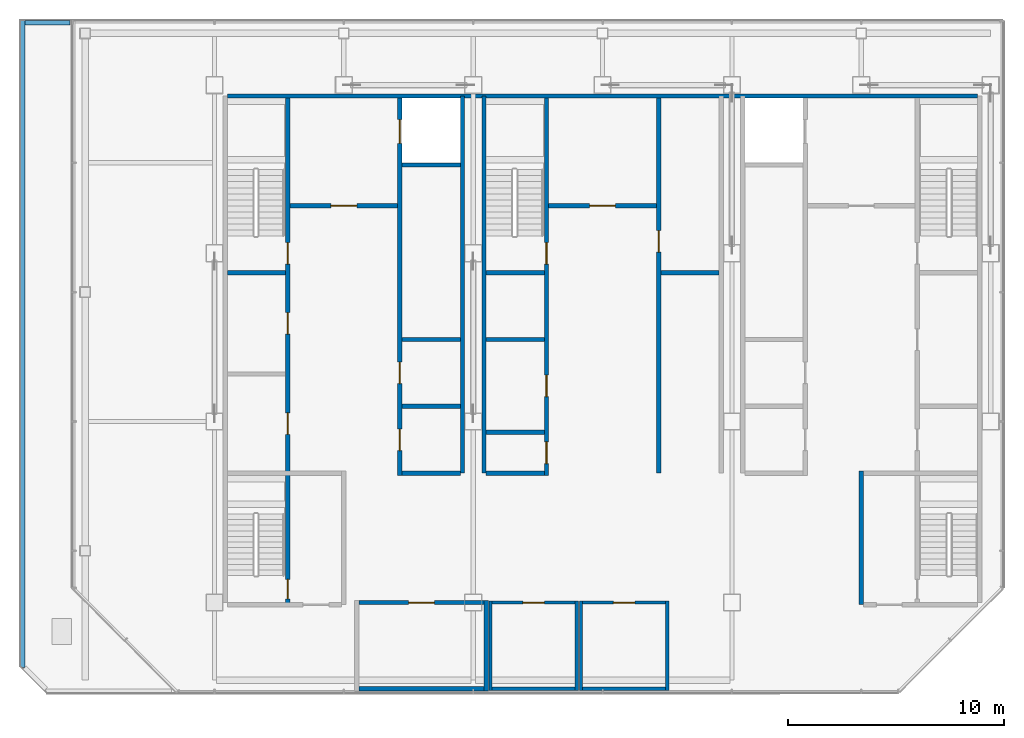
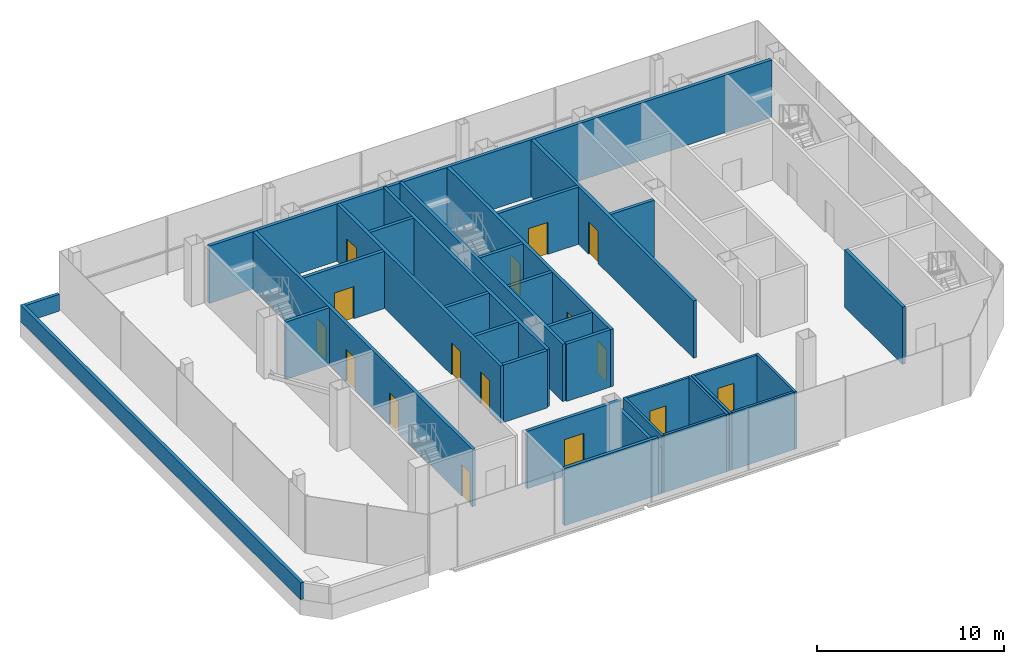
# One storey, part 8 of 11: 33 walls, 16 doors, 16 openings.
"""IFC4 building model written with IfcOpenShell, lengths in metres."""

from ifc_helpers import new_model, si_unit, direction, frame, frame_2d, origin, place, context, subcontext, project, spatial, rectangle, extrude, material, layer, layer_set, type_object, element, fill, save


model = new_model("IFC4")

# Units and contexts
model_context = context("Model", 3, precision=1e-05, world=origin(), true_north=direction((0.0, 1.0)))
body_context = subcontext(model_context, "Body", "Model", "MODEL_VIEW")
ifc_project = project(units=[si_unit("LENGTHUNIT", "METRE"), si_unit("AREAUNIT", "SQUARE_METRE"), si_unit("VOLUMEUNIT", "CUBIC_METRE"), si_unit("PLANEANGLEUNIT", "RADIAN"), si_unit("MASSUNIT", "GRAM", prefix="KILO")], contexts=[model_context])

# Site, building, storey
site_placement = place(None, origin())
site = spatial("IfcSite", under=ifc_project, at=site_placement, CompositionType="ELEMENT")
building_placement = place(site_placement, origin())
building = spatial("IfcBuilding", under=site, at=building_placement, Name="Sorahane Residences", CompositionType="ELEMENT")
storey_placement = place(building_placement, frame((0.0, 0.0, 349.800048828125)))
storey = spatial("IfcBuildingStorey", under=building, at=storey_placement, Name="L83", CompositionType="ELEMENT", Elevation=349.800048828125)

# Walls
ifc_material_1 = material(Name="Concrete C30", Category="concrete")
ifc_layer_1 = layer(ifc_material_1, 0.199951171875)
ifc_layer_set_1 = layer_set([ifc_layer_1], Name="Core face wall 200 EI 180")
wall_type_1 = type_object("IfcWallType", Name="Core face wall 200 EI 180", PredefinedType="SOLIDWALL", material=ifc_layer_set_1)
wall_1_placement = place(storey_placement, frame((6.60009765625, 45.10009765625, 0.0), z_axis=(0.0, 0.0, 1.0), x_axis=(1.0, 0.0, 0.0)))
element("IfcWall", 1, at=wall_1_placement, inside=storey, type_object=wall_type_1, Name="L83 core face wall", PredefinedType="SOLIDWALL", context=body_context, shape_type="SweptSolid", body=[
    extrude(rectangle(XDim=34.7998046875, YDim=0.199951171875, at=frame_2d((17.39990234375, 0.0))), origin(), (0.0, 0.0, 1.0), 3.75),
])
for number, where, z_axis, x_axis, name in (
    (2, (17.5, 27.60009765625, 0.0), (0.0, 0.0, 1.0), (0.0, 1.0, 0.0), "L83 core face wall"),
    (3, (18.5, 27.60009765625, 0.0), (0.0, 0.0, 1.0), (0.0, 1.0, 0.0), "L83 core face wall"),
):
    element("IfcWall", number, at=place(storey_placement, frame(where, z_axis=z_axis, x_axis=x_axis)), inside=storey, type_object=wall_type_1, Name=name, PredefinedType="SOLIDWALL", context=body_context, shape_type="SweptSolid", body=[
        extrude(rectangle(XDim=17.5, YDim=0.199951171875, at=frame_2d((8.75, 0.0))), origin(), (0.0, 0.0, 1.0), 3.75),
    ])

# Wall, opening, door
ifc_material_2 = material(Name="Concrete C30", Category="concrete")
ifc_layer_2 = layer(ifc_material_2, 0.199951171875)
ifc_layer_set_2 = layer_set([ifc_layer_2], Name="Front room wall 200 EI 120")
wall_type_2 = type_object("IfcWallType", Name="Front room wall 200 EI 120", PredefinedType="PARTITIONING", material=ifc_layer_set_2)
wall_2_placement = place(storey_placement, frame((26.60009765625, 27.60009765625, 0.0), z_axis=(0.0, 0.0, 1.0), x_axis=(0.0, 1.0, 0.0)))
wall_2 = element("IfcWall", 4, at=wall_2_placement, inside=storey, type_object=wall_type_2, Name="L83 front room wall", PredefinedType="PARTITIONING", context=body_context, shape_type="SweptSolid", body=[
    extrude(rectangle(XDim=17.39990234375, YDim=0.199951171875, at=frame_2d((8.699951171875, 0.0))), origin(), (0.0, 0.0, 1.0), 3.75),
])
opening_1_placement = place(wall_2_placement, frame((10.25, 0.0, 0.0)))
opening_1 = element("IfcOpeningElement", 5, at=opening_1_placement, cuts=wall_2, Name="Opening L83-C23", PredefinedType="OPENING", context=body_context, shape_type="SweptSolid", body=[
    extrude(rectangle(XDim=1.0, YDim=2.10009765625, at=frame_2d((0.5, 1.050048828125))), frame((0.0, 0.10986328125, 0.0), z_axis=(0.0, -1.0, 0.0), x_axis=(1.0, 0.0, 0.0)), (0.0, 0.0, 1.0), 0.219970703125),
])
ifc_material_3 = material(Name="Steel", Category="steel")
door_type_1 = type_object("IfcDoorType", Name="Service room door 1000x2100 FD60", OperationType="NOTDEFINED", PredefinedType="DOOR", material=ifc_material_3)
door_1_placement = place(opening_1_placement, frame((1.0, 0.0, 0.0), z_axis=(0.0, 0.0, 1.0), x_axis=(-1.0, 0.0, 0.0)))
door_1 = element("IfcDoor", 6, at=door_1_placement, inside=storey, type_object=door_type_1, Name="Service room door Housekeeping store L83", OperationType="SINGLE_SWING_LEFT", OverallHeight=2.10009765625, OverallWidth=1.0, PredefinedType="DOOR", context=body_context, shape_type="SweptSolid", body=[
    extrude(rectangle(XDim=1.0, YDim=2.10009765625, at=frame_2d((0.5, 1.050048828125))), frame((0.0, 0.02490234375, 0.0), z_axis=(0.0, -1.0, 0.0), x_axis=(1.0, 0.0, 0.0)), (0.0, 0.0, 1.0), 0.050048828125),
])
fill(opening_1, door_1)

# Wall
wall_3_placement = place(storey_placement, frame((36.0, 21.5, 0.0), z_axis=(0.0, 0.0, 1.0), x_axis=(0.0, 1.0, 0.0)))
element("IfcWall", 7, at=wall_3_placement, inside=storey, type_object=wall_type_2, Name="L83 front room wall", PredefinedType="PARTITIONING", context=body_context, shape_type="SweptSolid", body=[
    extrude(rectangle(XDim=6.199951171875, YDim=0.199951171875, at=frame_2d((3.10009765625, 0.0))), origin(), (0.0, 0.0, 1.0), 3.75),
])

# Wall, opening, door
wall_4_placement = place(storey_placement, frame((21.5, 40.0, 0.0), z_axis=(0.0, 0.0, 1.0), x_axis=(1.0, 0.0, 0.0)))
wall_4 = element("IfcWall", 8, at=wall_4_placement, inside=storey, type_object=wall_type_2, Name="L83 front room wall", PredefinedType="PARTITIONING", context=body_context, shape_type="SweptSolid", body=[
    extrude(rectangle(XDim=5.0, YDim=0.199951171875, at=frame_2d((2.5, 0.0))), origin(), (0.0, 0.0, 1.0), 3.75),
])
opening_2_placement = place(wall_4_placement, frame((1.89990234375, 0.0, 0.0)))
opening_2 = element("IfcOpeningElement", 9, at=opening_2_placement, cuts=wall_4, Name="Opening L83-C04", PredefinedType="OPENING", context=body_context, shape_type="SweptSolid", body=[
    extrude(rectangle(XDim=1.199951171875, YDim=2.10009765625, at=frame_2d((0.60009765625, 1.050048828125))), frame((0.0, 0.10986328125, 0.0), z_axis=(0.0, -1.0, 0.0), x_axis=(1.0, 0.0, 0.0)), (0.0, 0.0, 1.0), 0.219970703125),
])
ifc_material_4 = material(Name="Steel", Category="steel")
door_type_2 = type_object("IfcDoorType", Name="Front room door 1200x2100 FD120", OperationType="NOTDEFINED", PredefinedType="DOOR", material=ifc_material_4)
door_2_placement = place(opening_2_placement, frame((1.199951171875, 0.0, 0.0), z_axis=(0.0, 0.0, 1.0), x_axis=(-1.0, 0.0, 0.0)))
door_2 = element("IfcDoor", 10, at=door_2_placement, inside=storey, type_object=door_type_2, Name="Front room door Stair S3 vestibule L83", OperationType="DOUBLE_DOOR_SINGLE_SWING", OverallHeight=2.10009765625, OverallWidth=1.199951171875, PredefinedType="DOOR", context=body_context, shape_type="SweptSolid", body=[
    extrude(rectangle(XDim=1.199951171875, YDim=2.10009765625, at=frame_2d((0.60009765625, 1.050048828125))), frame((0.0, 0.02490234375, 0.0), z_axis=(0.0, -1.0, 0.0), x_axis=(1.0, 0.0, 0.0)), (0.0, 0.0, 1.0), 0.050048828125),
])
fill(opening_2, door_2)

wall_5_placement = place(storey_placement, frame((9.5, 40.0, 0.0), z_axis=(0.0, 0.0, 1.0), x_axis=(1.0, 0.0, 0.0)))
wall_5 = element("IfcWall", 11, at=wall_5_placement, inside=storey, type_object=wall_type_2, Name="L83 front room wall", PredefinedType="PARTITIONING", context=body_context, shape_type="SweptSolid", body=[
    extrude(rectangle(XDim=5.0, YDim=0.199951171875, at=frame_2d((2.5, 0.0))), origin(), (0.0, 0.0, 1.0), 3.75),
])
opening_3_placement = place(wall_5_placement, frame((1.89990234375, 0.0, 0.0)))
opening_3 = element("IfcOpeningElement", 12, at=opening_3_placement, cuts=wall_5, Name="Opening L83-C03", PredefinedType="OPENING", context=body_context, shape_type="SweptSolid", body=[
    extrude(rectangle(XDim=1.199951171875, YDim=2.10009765625, at=frame_2d((0.60009765625, 1.050048828125))), frame((0.0, 0.10986328125, 0.0), z_axis=(0.0, -1.0, 0.0), x_axis=(1.0, 0.0, 0.0)), (0.0, 0.0, 1.0), 0.219970703125),
])
door_3_placement = place(opening_3_placement, frame((1.199951171875, 0.0, 0.0), z_axis=(0.0, 0.0, 1.0), x_axis=(-1.0, 0.0, 0.0)))
door_3 = element("IfcDoor", 13, at=door_3_placement, inside=storey, type_object=door_type_2, Name="Front room door Firefighting lobby FF1 front room L83", OperationType="DOUBLE_DOOR_SINGLE_SWING", OverallHeight=2.10009765625, OverallWidth=1.199951171875, PredefinedType="DOOR", context=body_context, shape_type="SweptSolid", body=[
    extrude(rectangle(XDim=1.199951171875, YDim=2.10009765625, at=frame_2d((0.60009765625, 1.050048828125))), frame((0.0, 0.02490234375, 0.0), z_axis=(0.0, -1.0, 0.0), x_axis=(1.0, 0.0, 0.0)), (0.0, 0.0, 1.0), 0.050048828125),
])
fill(opening_3, door_3)

# Wall, openings, doors
ifc_material_5 = material(Name="Concrete C30", Category="concrete")
ifc_layer_3 = layer(ifc_material_5, 0.199951171875)
ifc_layer_set_3 = layer_set([ifc_layer_3], Name="Lift shaft wall 200 EI 120")
wall_type_3 = type_object("IfcWallType", Name="Lift shaft wall 200 EI 120", PredefinedType="SOLIDWALL", material=ifc_layer_set_3)
wall_6_placement = place(storey_placement, frame((14.60009765625, 27.5, 0.0), z_axis=(0.0, 0.0, 1.0), x_axis=(0.0, 1.0, 0.0)))
wall_6 = element("IfcWall", 14, at=wall_6_placement, inside=storey, type_object=wall_type_3, Name="L83 lift shaft wall", PredefinedType="SOLIDWALL", context=body_context, shape_type="SweptSolid", body=[
    extrude(rectangle(XDim=17.5, YDim=0.199951171875, at=frame_2d((8.75, 0.0))), origin(), (0.0, 0.0, 1.0), 3.75),
])
opening_4_placement = place(wall_6_placement, frame((15.39990234375, 0.0, 0.0)))
opening_4 = element("IfcOpeningElement", 15, at=opening_4_placement, cuts=wall_6, Name="Opening L83-C07", PredefinedType="OPENING", context=body_context, shape_type="SweptSolid", body=[
    extrude(rectangle(XDim=1.10009765625, YDim=2.10009765625, at=frame_2d((0.550048828125, 1.050048828125))), frame((0.0, 0.10986328125, 0.0), z_axis=(0.0, -1.0, 0.0), x_axis=(1.0, 0.0, 0.0)), (0.0, 0.0, 1.0), 0.219970703125),
])
opening_5_placement = place(wall_6_placement, frame((1.14990234375, 0.0, 0.0)))
opening_5 = element("IfcOpeningElement", 16, at=opening_5_placement, cuts=wall_6, Name="Opening L83-C14", PredefinedType="OPENING", context=body_context, shape_type="SweptSolid", body=[
    extrude(rectangle(XDim=1.0, YDim=2.10009765625, at=frame_2d((0.5, 1.050048828125))), frame((0.0, 0.10986328125, 0.0), z_axis=(0.0, -1.0, 0.0), x_axis=(1.0, 0.0, 0.0)), (0.0, 0.0, 1.0), 0.219970703125),
])
opening_6_placement = place(wall_6_placement, frame((4.25, 0.0, 0.0)))
opening_6 = element("IfcOpeningElement", 17, at=opening_6_placement, cuts=wall_6, Name="Opening L83-C15", PredefinedType="OPENING", context=body_context, shape_type="SweptSolid", body=[
    extrude(rectangle(XDim=1.0, YDim=2.10009765625, at=frame_2d((0.5, 1.050048828125))), frame((0.0, 0.10986328125, 0.0), z_axis=(0.0, -1.0, 0.0), x_axis=(1.0, 0.0, 0.0)), (0.0, 0.0, 1.0), 0.219970703125),
])
ifc_material_6 = material(Name="Aluminium and stainless steel", Category="steel")
door_type_3 = type_object("IfcDoorType", Name="Lift landing door 1100x2100 E 60", OperationType="NOTDEFINED", PredefinedType="DOOR", material=ifc_material_6)
door_4_placement = place(opening_4_placement, origin())
door_4 = element("IfcDoor", 18, at=door_4_placement, inside=storey, type_object=door_type_3, Name="Lift landing door FF1 L83", OperationType="DOUBLE_DOOR_SLIDING", OverallHeight=2.10009765625, OverallWidth=1.10009765625, PredefinedType="DOOR", context=body_context, shape_type="SweptSolid", body=[
    extrude(rectangle(XDim=1.10009765625, YDim=2.10009765625, at=frame_2d((0.550048828125, 1.050048828125))), frame((0.0, 0.02490234375, 0.0), z_axis=(0.0, -1.0, 0.0), x_axis=(1.0, 0.0, 0.0)), (0.0, 0.0, 1.0), 0.050048828125),
])
fill(opening_4, door_4)
door_5_placement = place(opening_5_placement, frame((1.0, 0.0, 0.0), z_axis=(0.0, 0.0, 1.0), x_axis=(-1.0, 0.0, 0.0)))
door_5 = element("IfcDoor", 19, at=door_5_placement, inside=storey, type_object=door_type_1, Name="Service room door Linen store L83", OperationType="SINGLE_SWING_LEFT", OverallHeight=2.10009765625, OverallWidth=1.0, PredefinedType="DOOR", context=body_context, shape_type="SweptSolid", body=[
    extrude(rectangle(XDim=1.0, YDim=2.10009765625, at=frame_2d((0.5, 1.050048828125))), frame((0.0, 0.02490234375, 0.0), z_axis=(0.0, -1.0, 0.0), x_axis=(1.0, 0.0, 0.0)), (0.0, 0.0, 1.0), 0.050048828125),
])
fill(opening_5, door_5)
door_6_placement = place(opening_6_placement, frame((1.0, 0.0, 0.0), z_axis=(0.0, 0.0, 1.0), x_axis=(-1.0, 0.0, 0.0)))
door_6 = element("IfcDoor", 20, at=door_6_placement, inside=storey, type_object=door_type_1, Name="Service room door Linen store L83", OperationType="SINGLE_SWING_LEFT", OverallHeight=2.10009765625, OverallWidth=1.0, PredefinedType="DOOR", context=body_context, shape_type="SweptSolid", body=[
    extrude(rectangle(XDim=1.0, YDim=2.10009765625, at=frame_2d((0.5, 1.050048828125))), frame((0.0, 0.02490234375, 0.0), z_axis=(0.0, -1.0, 0.0), x_axis=(1.0, 0.0, 0.0)), (0.0, 0.0, 1.0), 0.050048828125),
])
fill(opening_6, door_6)

# Walls
wall_7_placement = place(storey_placement, frame((14.699951171875, 41.89990234375, 0.0), z_axis=(0.0, 0.0, 1.0), x_axis=(1.0, 0.0, 0.0)))
element("IfcWall", 21, at=wall_7_placement, inside=storey, type_object=wall_type_3, Name="L83 lift shaft wall", PredefinedType="SOLIDWALL", context=body_context, shape_type="SweptSolid", body=[
    extrude(rectangle(XDim=2.699951171875, YDim=0.199951171875, at=frame_2d((1.35009765625, 0.0))), origin(), (0.0, 0.0, 1.0), 3.75),
])
ifc_material_7 = material(Name="Concrete C35", Category="concrete")
ifc_layer_4 = layer(ifc_material_7, 0.199951171875)
ifc_layer_set_4 = layer_set([ifc_layer_4], Name="Parapet wall Concrete C35 200")
wall_type_4 = type_object("IfcWallType", Name="Parapet wall Concrete C35 200", PredefinedType="PARAPET", material=ifc_layer_set_4)
wall_8_placement = place(storey_placement, frame((-2.89990234375, 18.593017578125, 0.0), z_axis=(0.0, 0.0, 1.0), x_axis=(0.0, 1.0, 0.0)))
element("IfcWall", 22, at=wall_8_placement, inside=storey, type_object=wall_type_4, Name="Roof parapet L83.1.1.3", PredefinedType="PARAPET", context=body_context, shape_type="SweptSolid", body=[
    extrude(rectangle(XDim=30.007080078125, YDim=0.199951171875, at=frame_2d((15.00341796875, 0.0))), origin(), (0.0, 0.0, 1.0), 1.099853515625),
])
wall_9_placement = place(storey_placement, frame((-2.800048828125, 48.5, 0.0), z_axis=(0.0, 0.0, 1.0), x_axis=(1.0, 0.0, 0.0)))
element("IfcWall", 23, at=wall_9_placement, inside=storey, type_object=wall_type_4, Name="Roof parapet L83.1.1.4", PredefinedType="PARAPET", context=body_context, shape_type="SweptSolid", body=[
    extrude(rectangle(XDim=2.10009765625, YDim=0.199951171875, at=frame_2d((1.050048828125, 0.0))), origin(), (0.0, 0.0, 1.0), 1.099853515625),
])
ifc_material_8 = material(Name="Gypsum board partition on steel studs", Category="steel")
ifc_layer_5 = layer(ifc_material_8, 0.14990234375)
ifc_layer_set_5 = layer_set([ifc_layer_5], Name="Partition 150 EI 90")
wall_type_5 = type_object("IfcWallType", Name="Partition 150 EI 90", PredefinedType="PARTITIONING", material=ifc_layer_set_5)
for number, where, z_axis, x_axis, name in (
    (24, (18.800048828125, 17.52490234375, 0.0), (0.0, 0.0, 1.0), (0.0, 1.0, 0.0), "L83 partition"),
    (25, (22.800048828125, 17.52490234375, 0.0), (0.0, 0.0, 1.0), (0.0, 1.0, 0.0), "L83 partition"),
):
    element("IfcWall", number, at=place(storey_placement, frame(where, z_axis=z_axis, x_axis=x_axis)), inside=storey, type_object=wall_type_5, Name=name, PredefinedType="PARTITIONING", context=body_context, shape_type="SweptSolid", body=[
        extrude(rectangle(XDim=4.150146484375, YDim=0.14990234375, at=frame_2d((2.0751953125, 0.0))), origin(), (0.0, 0.0, 1.0), 3.75),
    ])
wall_10_placement = place(storey_placement, frame((18.875, 17.60009765625, 0.0), z_axis=(0.0, 0.0, 1.0), x_axis=(1.0, 0.0, 0.0)))
element("IfcWall", 26, at=wall_10_placement, inside=storey, type_object=wall_type_5, Name="L83 partition", PredefinedType="PARTITIONING", context=body_context, shape_type="SweptSolid", body=[
    extrude(rectangle(XDim=3.85009765625, YDim=0.14990234375, at=frame_2d((1.925048828125, 0.0))), origin(), (0.0, 0.0, 1.0), 3.75),
])

# Wall, opening, door
wall_11_placement = place(storey_placement, frame((18.875, 21.60009765625, 0.0), z_axis=(0.0, 0.0, 1.0), x_axis=(1.0, 0.0, 0.0)))
wall_11 = element("IfcWall", 27, at=wall_11_placement, inside=storey, type_object=wall_type_5, Name="L83 partition", PredefinedType="PARTITIONING", context=body_context, shape_type="SweptSolid", body=[
    extrude(rectangle(XDim=3.85009765625, YDim=0.14990234375, at=frame_2d((1.925048828125, 0.0))), origin(), (0.0, 0.0, 1.0), 3.75),
])
opening_7_placement = place(wall_11_placement, frame((1.425048828125, 0.0, 0.0)))
opening_7 = element("IfcOpeningElement", 28, at=opening_7_placement, cuts=wall_11, Name="Opening L83-02", PredefinedType="OPENING", context=body_context, shape_type="SweptSolid", body=[
    extrude(rectangle(XDim=1.0, YDim=2.39990234375, at=frame_2d((0.5, 1.199951171875))), frame((0.0, 0.0849609375, 0.0), z_axis=(0.0, -1.0, 0.0), x_axis=(1.0, 0.0, 0.0)), (0.0, 0.0, 1.0), 0.169921875),
])
ifc_material_9 = material(Name="Timber veneered fire door", Category="wood")
door_type_4 = type_object("IfcDoorType", Name="Room door 1000x2400 FD30", OperationType="NOTDEFINED", PredefinedType="DOOR", material=ifc_material_9)
door_7_placement = place(opening_7_placement, origin())
door_7 = element("IfcDoor", 29, at=door_7_placement, inside=storey, type_object=door_type_4, Name="Room door L83-02", OperationType="SINGLE_SWING_RIGHT", OverallHeight=2.39990234375, OverallWidth=1.0, PredefinedType="DOOR", context=body_context, shape_type="SweptSolid", body=[
    extrude(rectangle(XDim=1.0, YDim=2.39990234375, at=frame_2d((0.5, 1.199951171875))), frame((0.0, 0.02490234375, 0.0), z_axis=(0.0, -1.0, 0.0), x_axis=(1.0, 0.0, 0.0)), (0.0, 0.0, 1.0), 0.050048828125),
])
fill(opening_7, door_7)

# Walls
ifc_material_10 = material(Name="Concrete blockwork C20 wall", Category="masonry")
ifc_layer_6 = layer(ifc_material_10, 0.199951171875)
ifc_layer_set_6 = layer_set([ifc_layer_6], Name="Plant wall 200 EI 120")
wall_type_6 = type_object("IfcWallType", Name="Plant wall 200 EI 120", PredefinedType="SOLIDWALL", material=ifc_layer_set_6)
wall_12_placement = place(storey_placement, frame((18.60009765625, 17.5, 0.0), z_axis=(0.0, 0.0, 1.0), x_axis=(0.0, 1.0, 0.0)))
element("IfcWall", 30, at=wall_12_placement, inside=storey, type_object=wall_type_6, Name="L83 plant wall", PredefinedType="SOLIDWALL", context=body_context, shape_type="SweptSolid", body=[
    extrude(rectangle(XDim=4.199951171875, YDim=0.199951171875, at=frame_2d((2.10009765625, 0.0))), origin(), (0.0, 0.0, 1.0), 3.050048828125),
])
wall_13_placement = place(storey_placement, frame((12.699951171875, 17.60009765625, 0.0), z_axis=(0.0, 0.0, 1.0), x_axis=(1.0, 0.0, 0.0)))
element("IfcWall", 31, at=wall_13_placement, inside=storey, type_object=wall_type_6, Name="L83 plant wall", PredefinedType="SOLIDWALL", context=body_context, shape_type="SweptSolid", body=[
    extrude(rectangle(XDim=5.800048828125, YDim=0.199951171875, at=frame_2d((2.89990234375, 0.0))), origin(), (0.0, 0.0, 1.0), 3.75),
])

# Wall, opening, door
wall_14_placement = place(storey_placement, frame((12.699951171875, 21.60009765625, 0.0), z_axis=(0.0, 0.0, 1.0), x_axis=(1.0, 0.0, 0.0)))
wall_14 = element("IfcWall", 32, at=wall_14_placement, inside=storey, type_object=wall_type_6, Name="L83 plant wall", PredefinedType="SOLIDWALL", context=body_context, shape_type="SweptSolid", body=[
    extrude(rectangle(XDim=5.800048828125, YDim=0.199951171875, at=frame_2d((2.89990234375, 0.0))), origin(), (0.0, 0.0, 1.0), 3.75),
])
opening_8_placement = place(wall_14_placement, frame((2.300048828125, 0.0, 0.0)))
opening_8 = element("IfcOpeningElement", 33, at=opening_8_placement, cuts=wall_14, Name="Opening L83-01", PredefinedType="OPENING", context=body_context, shape_type="SweptSolid", body=[
    extrude(rectangle(XDim=1.199951171875, YDim=2.39990234375, at=frame_2d((0.60009765625, 1.199951171875))), frame((0.0, 0.10986328125, 0.0), z_axis=(0.0, -1.0, 0.0), x_axis=(1.0, 0.0, 0.0)), (0.0, 0.0, 1.0), 0.219970703125),
])
ifc_material_11 = material(Name="Steel", Category="steel")
door_type_5 = type_object("IfcDoorType", Name="Plant door 1200x2400 FD60", OperationType="NOTDEFINED", PredefinedType="DOOR", material=ifc_material_11)
door_8_placement = place(opening_8_placement, origin())
door_8 = element("IfcDoor", 34, at=door_8_placement, inside=storey, type_object=door_type_5, Name="Plant door L83-01", OperationType="SINGLE_SWING_LEFT", OverallHeight=2.39990234375, OverallWidth=1.199951171875, PredefinedType="DOOR", context=body_context, shape_type="SweptSolid", body=[
    extrude(rectangle(XDim=1.199951171875, YDim=2.39990234375, at=frame_2d((0.60009765625, 1.199951171875))), frame((0.0, 0.02490234375, 0.0), z_axis=(0.0, -1.0, 0.0), x_axis=(1.0, 0.0, 0.0)), (0.0, 0.0, 1.0), 0.050048828125),
])
fill(opening_8, door_8)

# Walls
ifc_material_12 = material(Name="Concrete C30", Category="concrete")
ifc_layer_7 = layer(ifc_material_12, 0.199951171875)
ifc_layer_set_7 = layer_set([ifc_layer_7], Name="Service room partition 200 EI 60")
wall_type_7 = type_object("IfcWallType", Name="Service room partition 200 EI 60", PredefinedType="PARTITIONING", material=ifc_layer_set_7)
for number, where, z_axis, x_axis, name in (
    (35, (14.699951171875, 27.60009765625, 0.0), (0.0, 0.0, 1.0), (1.0, 0.0, 0.0), "L83 service room wall"),
    (36, (18.60009765625, 27.60009765625, 0.0), (0.0, 0.0, 1.0), (1.0, 0.0, 0.0), "L83 service room wall"),
    (37, (18.60009765625, 29.5, 0.0), (0.0, 0.0, 1.0), (1.0, 0.0, 0.0), "L83 service room wall"),
    (38, (14.699951171875, 30.699951171875, 0.0), (0.0, 0.0, 1.0), (1.0, 0.0, 0.0), "L83 service room wall"),
    (39, (14.699951171875, 33.800048828125, 0.0), (0.0, 0.0, 1.0), (1.0, 0.0, 0.0), "L83 service room wall"),
    (40, (18.60009765625, 33.800048828125, 0.0), (0.0, 0.0, 1.0), (1.0, 0.0, 0.0), "L83 service room wall"),
    (41, (26.699951171875, 36.89990234375, 0.0), (0.0, 0.0, 1.0), (1.0, 0.0, 0.0), "L83 service room wall"),
):
    element("IfcWall", number, at=place(storey_placement, frame(where, z_axis=z_axis, x_axis=x_axis)), inside=storey, type_object=wall_type_7, Name=name, PredefinedType="PARTITIONING", context=body_context, shape_type="SweptSolid", body=[
        extrude(rectangle(XDim=2.699951171875, YDim=0.199951171875, at=frame_2d((1.35009765625, 0.0))), origin(), (0.0, 0.0, 1.0), 3.75),
    ])

# Wall, openings, doors
ifc_material_13 = material(Name="Concrete C30", Category="concrete")
ifc_layer_8 = layer(ifc_material_13, 0.199951171875)
ifc_layer_set_8 = layer_set([ifc_layer_8], Name="Stair enclosure wall 200 EI 120")
wall_type_8 = type_object("IfcWallType", Name="Stair enclosure wall 200 EI 120", PredefinedType="SOLIDWALL", material=ifc_layer_set_8)
wall_15_placement = place(storey_placement, frame((21.39990234375, 27.5, 0.0), z_axis=(0.0, 0.0, 1.0), x_axis=(0.0, 1.0, 0.0)))
wall_15 = element("IfcWall", 42, at=wall_15_placement, inside=storey, type_object=wall_type_8, Name="L83 stair enclosure wall", PredefinedType="SOLIDWALL", context=body_context, shape_type="SweptSolid", body=[
    extrude(rectangle(XDim=17.5, YDim=0.199951171875, at=frame_2d((8.75, 0.0))), origin(), (0.0, 0.0, 1.0), 3.75),
])
opening_9_placement = place(wall_15_placement, frame((0.550048828125, 0.0, 0.0)))
opening_9 = element("IfcOpeningElement", 43, at=opening_9_placement, cuts=wall_15, Name="Opening L83-C08", PredefinedType="OPENING", context=body_context, shape_type="SweptSolid", body=[
    extrude(rectangle(XDim=1.0, YDim=2.10009765625, at=frame_2d((0.5, 1.050048828125))), frame((0.0, 0.10986328125, 0.0), z_axis=(0.0, -1.0, 0.0), x_axis=(1.0, 0.0, 0.0)), (0.0, 0.0, 1.0), 0.219970703125),
])
opening_10_placement = place(wall_15_placement, frame((3.64990234375, 0.0, 0.0)))
opening_10 = element("IfcOpeningElement", 44, at=opening_10_placement, cuts=wall_15, Name="Opening L83-C09", PredefinedType="OPENING", context=body_context, shape_type="SweptSolid", body=[
    extrude(rectangle(XDim=1.0, YDim=2.10009765625, at=frame_2d((0.5, 1.050048828125))), frame((0.0, 0.10986328125, 0.0), z_axis=(0.0, -1.0, 0.0), x_axis=(1.0, 0.0, 0.0)), (0.0, 0.0, 1.0), 0.219970703125),
])
opening_11_placement = place(wall_15_placement, frame((9.800048828125, 0.0, 0.0)))
opening_11 = element("IfcOpeningElement", 45, at=opening_11_placement, cuts=wall_15, Name="Opening L83-C20", PredefinedType="OPENING", context=body_context, shape_type="SweptSolid", body=[
    extrude(rectangle(XDim=1.0, YDim=2.10009765625, at=frame_2d((0.5, 1.050048828125))), frame((0.0, 0.10986328125, 0.0), z_axis=(0.0, -1.0, 0.0), x_axis=(1.0, 0.0, 0.0)), (0.0, 0.0, 1.0), 0.219970703125),
])
door_9_placement = place(opening_9_placement, origin())
door_9 = element("IfcDoor", 46, at=door_9_placement, inside=storey, type_object=door_type_1, Name="Service room door Guest suite store L83", OperationType="SINGLE_SWING_LEFT", OverallHeight=2.10009765625, OverallWidth=1.0, PredefinedType="DOOR", context=body_context, shape_type="SweptSolid", body=[
    extrude(rectangle(XDim=1.0, YDim=2.10009765625, at=frame_2d((0.5, 1.050048828125))), frame((0.0, 0.02490234375, 0.0), z_axis=(0.0, -1.0, 0.0), x_axis=(1.0, 0.0, 0.0)), (0.0, 0.0, 1.0), 0.050048828125),
])
fill(opening_9, door_9)
door_10_placement = place(opening_10_placement, origin())
door_10 = element("IfcDoor", 47, at=door_10_placement, inside=storey, type_object=door_type_1, Name="Service room door Quiet room L83", OperationType="SINGLE_SWING_LEFT", OverallHeight=2.10009765625, OverallWidth=1.0, PredefinedType="DOOR", context=body_context, shape_type="SweptSolid", body=[
    extrude(rectangle(XDim=1.0, YDim=2.10009765625, at=frame_2d((0.5, 1.050048828125))), frame((0.0, 0.02490234375, 0.0), z_axis=(0.0, -1.0, 0.0), x_axis=(1.0, 0.0, 0.0)), (0.0, 0.0, 1.0), 0.050048828125),
])
fill(opening_10, door_10)
ifc_material_14 = material(Name="Steel", Category="steel")
door_type_6 = type_object("IfcDoorType", Name="Stair door 1000x2100 FD120", OperationType="NOTDEFINED", PredefinedType="DOOR", material=ifc_material_14)
door_11_placement = place(opening_11_placement, origin())
door_11 = element("IfcDoor", 48, at=door_11_placement, inside=storey, type_object=door_type_6, Name="Stair door S3 L83", OperationType="SINGLE_SWING_LEFT", OverallHeight=2.10009765625, OverallWidth=1.0, PredefinedType="DOOR", context=body_context, shape_type="SweptSolid", body=[
    extrude(rectangle(XDim=1.0, YDim=2.10009765625, at=frame_2d((0.5, 1.050048828125))), frame((0.0, 0.02490234375, 0.0), z_axis=(0.0, -1.0, 0.0), x_axis=(1.0, 0.0, 0.0)), (0.0, 0.0, 1.0), 0.050048828125),
])
fill(opening_11, door_11)

wall_16_placement = place(storey_placement, frame((9.39990234375, 21.5, 0.0), z_axis=(0.0, 0.0, 1.0), x_axis=(0.0, 1.0, 0.0)))
wall_16 = element("IfcWall", 49, at=wall_16_placement, inside=storey, type_object=wall_type_8, Name="L83 stair enclosure wall", PredefinedType="SOLIDWALL", context=body_context, shape_type="SweptSolid", body=[
    extrude(rectangle(XDim=23.5, YDim=0.199951171875, at=frame_2d((11.75, 0.0))), origin(), (0.0, 0.0, 1.0), 3.75),
])
opening_12_placement = place(wall_16_placement, frame((7.89990234375, 0.0, 0.0)))
opening_12 = element("IfcOpeningElement", 50, at=opening_12_placement, cuts=wall_16, Name="Opening L83-C16", PredefinedType="OPENING", context=body_context, shape_type="SweptSolid", body=[
    extrude(rectangle(XDim=1.0, YDim=2.10009765625, at=frame_2d((0.5, 1.050048828125))), frame((0.0, 0.10986328125, 0.0), z_axis=(0.0, -1.0, 0.0), x_axis=(1.0, 0.0, 0.0)), (0.0, 0.0, 1.0), 0.219970703125),
])
opening_13_placement = place(wall_16_placement, frame((12.550048828125, 0.0, 0.0)))
opening_13 = element("IfcOpeningElement", 51, at=opening_13_placement, cuts=wall_16, Name="Opening L83-C17", PredefinedType="OPENING", context=body_context, shape_type="SweptSolid", body=[
    extrude(rectangle(XDim=1.0, YDim=2.10009765625, at=frame_2d((0.5, 1.050048828125))), frame((0.0, 0.10986328125, 0.0), z_axis=(0.0, -1.0, 0.0), x_axis=(1.0, 0.0, 0.0)), (0.0, 0.0, 1.0), 0.219970703125),
])
opening_14_placement = place(wall_16_placement, frame((15.800048828125, 0.0, 0.0)))
opening_14 = element("IfcOpeningElement", 52, at=opening_14_placement, cuts=wall_16, Name="Opening L83-C18", PredefinedType="OPENING", context=body_context, shape_type="SweptSolid", body=[
    extrude(rectangle(XDim=1.0, YDim=2.10009765625, at=frame_2d((0.5, 1.050048828125))), frame((0.0, 0.10986328125, 0.0), z_axis=(0.0, -1.0, 0.0), x_axis=(1.0, 0.0, 0.0)), (0.0, 0.0, 1.0), 0.219970703125),
])
opening_15_placement = place(wall_16_placement, frame((0.27490234375, 0.0, 0.0)))
opening_15 = element("IfcOpeningElement", 53, at=opening_15_placement, cuts=wall_16, Name="Opening L83-C21", PredefinedType="OPENING", context=body_context, shape_type="SweptSolid", body=[
    extrude(rectangle(XDim=0.89990234375, YDim=2.10009765625, at=frame_2d((0.449951171875, 1.050048828125))), frame((0.0, 0.10986328125, 0.0), z_axis=(0.0, -1.0, 0.0), x_axis=(1.0, 0.0, 0.0)), (0.0, 0.0, 1.0), 0.219970703125),
])
door_12_placement = place(opening_12_placement, origin())
door_12 = element("IfcDoor", 54, at=door_12_placement, inside=storey, type_object=door_type_1, Name="Service room door Linen store L83", OperationType="SINGLE_SWING_RIGHT", OverallHeight=2.10009765625, OverallWidth=1.0, PredefinedType="DOOR", context=body_context, shape_type="SweptSolid", body=[
    extrude(rectangle(XDim=1.0, YDim=2.10009765625, at=frame_2d((0.5, 1.050048828125))), frame((0.0, 0.02490234375, 0.0), z_axis=(0.0, -1.0, 0.0), x_axis=(1.0, 0.0, 0.0)), (0.0, 0.0, 1.0), 0.050048828125),
])
fill(opening_12, door_12)
door_13_placement = place(opening_13_placement, origin())
door_13 = element("IfcDoor", 55, at=door_13_placement, inside=storey, type_object=door_type_1, Name="Service room door Linen store L83", OperationType="SINGLE_SWING_LEFT", OverallHeight=2.10009765625, OverallWidth=1.0, PredefinedType="DOOR", context=body_context, shape_type="SweptSolid", body=[
    extrude(rectangle(XDim=1.0, YDim=2.10009765625, at=frame_2d((0.5, 1.050048828125))), frame((0.0, 0.02490234375, 0.0), z_axis=(0.0, -1.0, 0.0), x_axis=(1.0, 0.0, 0.0)), (0.0, 0.0, 1.0), 0.050048828125),
])
fill(opening_13, door_13)
door_14_placement = place(opening_14_placement, origin())
door_14 = element("IfcDoor", 56, at=door_14_placement, inside=storey, type_object=door_type_6, Name="Stair door S1 L83", OperationType="SINGLE_SWING_LEFT", OverallHeight=2.10009765625, OverallWidth=1.0, PredefinedType="DOOR", context=body_context, shape_type="SweptSolid", body=[
    extrude(rectangle(XDim=1.0, YDim=2.10009765625, at=frame_2d((0.5, 1.050048828125))), frame((0.0, 0.02490234375, 0.0), z_axis=(0.0, -1.0, 0.0), x_axis=(1.0, 0.0, 0.0)), (0.0, 0.0, 1.0), 0.050048828125),
])
fill(opening_14, door_14)
ifc_material_15 = material(Name="Steel", Category="steel")
door_type_7 = type_object("IfcDoorType", Name="Stair door 900x2100 FD120", OperationType="NOTDEFINED", PredefinedType="DOOR", material=ifc_material_15)
door_15_placement = place(opening_15_placement, origin())
door_15 = element("IfcDoor", 57, at=door_15_placement, inside=storey, type_object=door_type_7, Name="Stair door S4 L83", OperationType="SINGLE_SWING_LEFT", OverallHeight=2.10009765625, OverallWidth=0.89990234375, PredefinedType="DOOR", context=body_context, shape_type="SweptSolid", body=[
    extrude(rectangle(XDim=0.89990234375, YDim=2.10009765625, at=frame_2d((0.449951171875, 1.050048828125))), frame((0.0, 0.02490234375, 0.0), z_axis=(0.0, -1.0, 0.0), x_axis=(1.0, 0.0, 0.0)), (0.0, 0.0, 1.0), 0.050048828125),
])
fill(opening_15, door_15)

# Walls
for number, where, z_axis, x_axis, name in (
    (58, (18.60009765625, 36.89990234375, 0.0), (0.0, 0.0, 1.0), (1.0, 0.0, 0.0), "L83 stair enclosure wall"),
    (59, (6.60009765625, 36.89990234375, 0.0), (0.0, 0.0, 1.0), (1.0, 0.0, 0.0), "L83 stair enclosure wall"),
):
    element("IfcWall", number, at=place(storey_placement, frame(where, z_axis=z_axis, x_axis=x_axis)), inside=storey, type_object=wall_type_8, Name=name, PredefinedType="SOLIDWALL", context=body_context, shape_type="SweptSolid", body=[
        extrude(rectangle(XDim=2.699951171875, YDim=0.199951171875, at=frame_2d((1.35009765625, 0.0))), origin(), (0.0, 0.0, 1.0), 3.75),
    ])
ifc_material_16 = material(Name="Gypsum board partition on steel studs", Category="steel")
ifc_layer_9 = layer(ifc_material_16, 0.14990234375)
ifc_layer_set_9 = layer_set([ifc_layer_9], Name="Wet wall 150 EI 90")
wall_type_9 = type_object("IfcWallType", Name="Wet wall 150 EI 90", PredefinedType="PARTITIONING", material=ifc_layer_set_9)
for number, where, z_axis, x_axis, name in (
    (60, (23.0, 17.52490234375, 0.0), (0.0, 0.0, 1.0), (0.0, 1.0, 0.0), "L83 wet wall"),
    (61, (27.0, 17.52490234375, 0.0), (0.0, 0.0, 1.0), (0.0, 1.0, 0.0), "L83 wet wall"),
):
    element("IfcWall", number, at=place(storey_placement, frame(where, z_axis=z_axis, x_axis=x_axis)), inside=storey, type_object=wall_type_9, Name=name, PredefinedType="PARTITIONING", context=body_context, shape_type="SweptSolid", body=[
        extrude(rectangle(XDim=4.150146484375, YDim=0.14990234375, at=frame_2d((2.0751953125, 0.0))), origin(), (0.0, 0.0, 1.0), 3.75),
    ])
wall_17_placement = place(storey_placement, frame((23.074951171875, 17.60009765625, 0.0), z_axis=(0.0, 0.0, 1.0), x_axis=(1.0, 0.0, 0.0)))
element("IfcWall", 62, at=wall_17_placement, inside=storey, type_object=wall_type_9, Name="L83 wet wall", PredefinedType="PARTITIONING", context=body_context, shape_type="SweptSolid", body=[
    extrude(rectangle(XDim=3.85009765625, YDim=0.14990234375, at=frame_2d((1.925048828125, 0.0))), origin(), (0.0, 0.0, 1.0), 3.75),
])

# Wall, opening, door
wall_18_placement = place(storey_placement, frame((23.074951171875, 21.60009765625, 0.0), z_axis=(0.0, 0.0, 1.0), x_axis=(1.0, 0.0, 0.0)))
wall_18 = element("IfcWall", 63, at=wall_18_placement, inside=storey, type_object=wall_type_9, Name="L83 wet wall", PredefinedType="PARTITIONING", context=body_context, shape_type="SweptSolid", body=[
    extrude(rectangle(XDim=3.85009765625, YDim=0.14990234375, at=frame_2d((1.925048828125, 0.0))), origin(), (0.0, 0.0, 1.0), 3.75),
])
opening_16_placement = place(wall_18_placement, frame((1.425048828125, 0.0, 0.0)))
opening_16 = element("IfcOpeningElement", 64, at=opening_16_placement, cuts=wall_18, Name="Opening L83-03", PredefinedType="OPENING", context=body_context, shape_type="SweptSolid", body=[
    extrude(rectangle(XDim=1.0, YDim=2.39990234375, at=frame_2d((0.5, 1.199951171875))), frame((0.0, 0.0849609375, 0.0), z_axis=(0.0, -1.0, 0.0), x_axis=(1.0, 0.0, 0.0)), (0.0, 0.0, 1.0), 0.169921875),
])
door_16_placement = place(opening_16_placement, frame((1.0, 0.0, 0.0), z_axis=(0.0, 0.0, 1.0), x_axis=(-1.0, 0.0, 0.0)))
door_16 = element("IfcDoor", 65, at=door_16_placement, inside=storey, type_object=door_type_4, Name="Room door L83-03", OperationType="SINGLE_SWING_RIGHT", OverallHeight=2.39990234375, OverallWidth=1.0, PredefinedType="DOOR", context=body_context, shape_type="SweptSolid", body=[
    extrude(rectangle(XDim=1.0, YDim=2.39990234375, at=frame_2d((0.5, 1.199951171875))), frame((0.0, 0.02490234375, 0.0), z_axis=(0.0, -1.0, 0.0), x_axis=(1.0, 0.0, 0.0)), (0.0, 0.0, 1.0), 0.050048828125),
])
fill(opening_16, door_16)

save(model, "model.ifc")
